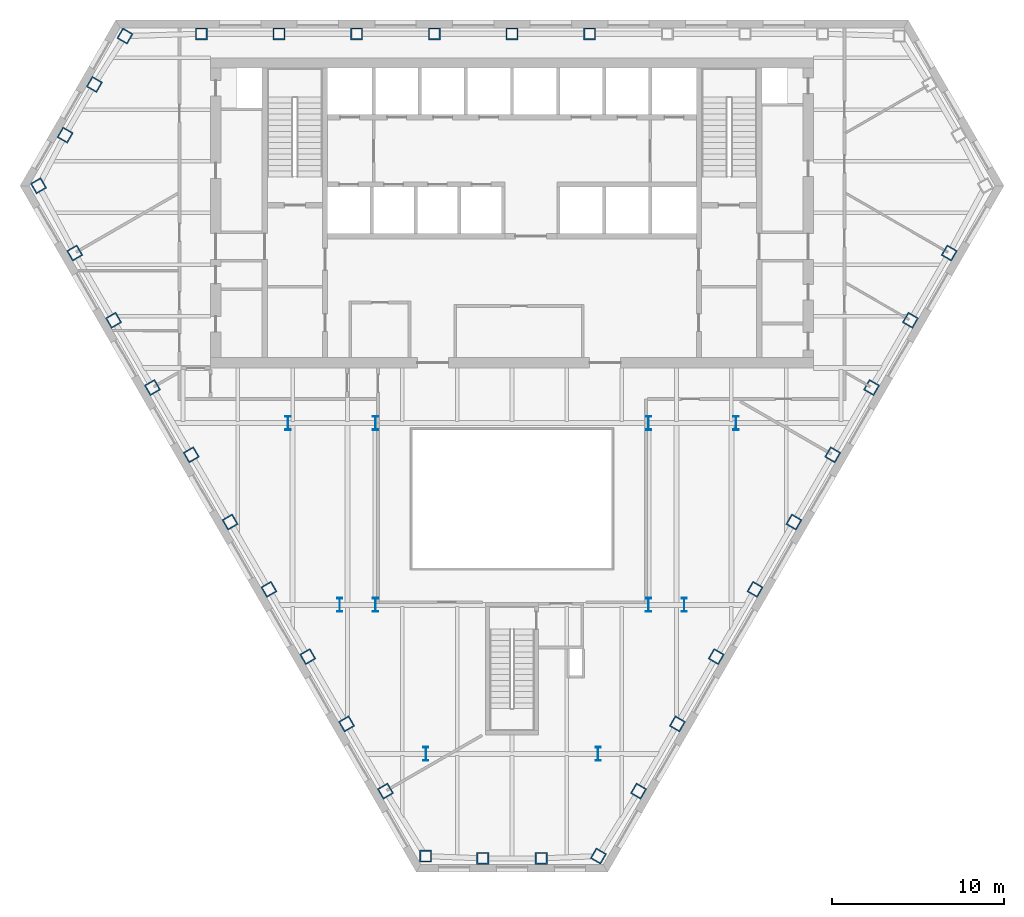
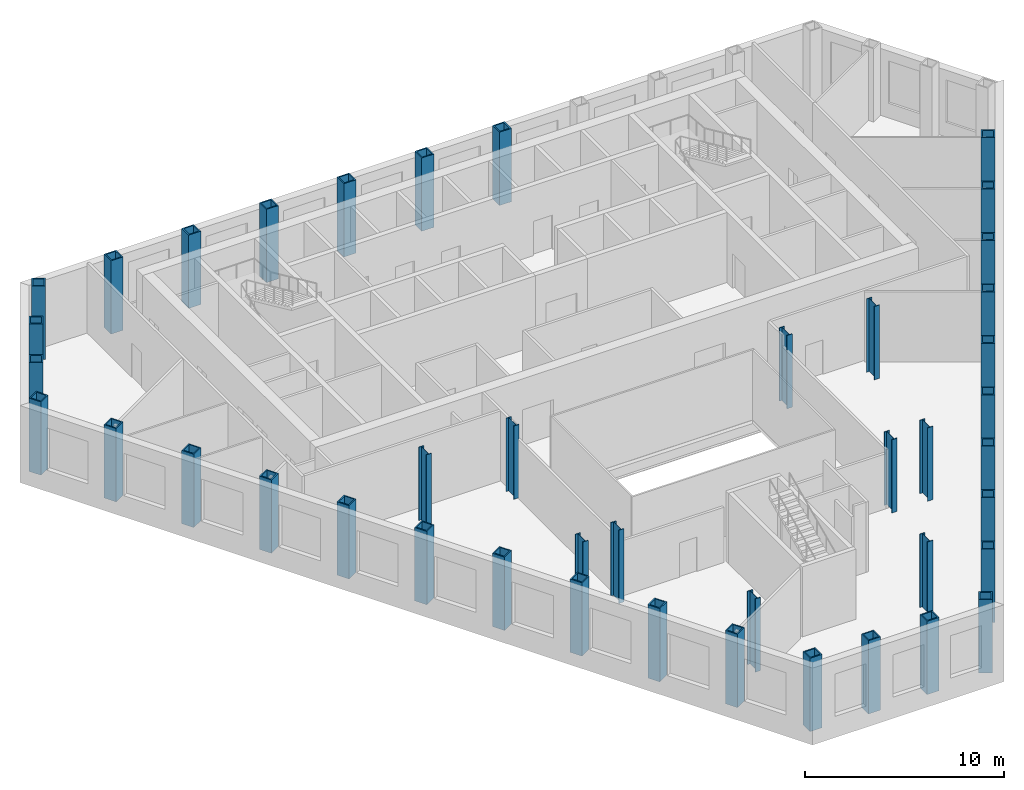
# One storey, part 1 of 11: 42 columns.
"""IFC4 building model written with IfcOpenShell, lengths in metres."""

from ifc_helpers import new_model, si_unit, direction, frame, origin, origin_2d, place, context, subcontext, project, spatial, hollow_rectangle, i_section, extrude, material, material_profile, profile_set, type_object, element, save


model = new_model("IFC4")

# Units and contexts
model_context = context("Model", 3, precision=1e-05, world=origin(), true_north=direction((0.0, 1.0)))
body_context = subcontext(model_context, "Body", "Model", "MODEL_VIEW")
ifc_project = project(units=[si_unit("LENGTHUNIT", "METRE"), si_unit("AREAUNIT", "SQUARE_METRE"), si_unit("VOLUMEUNIT", "CUBIC_METRE"), si_unit("PLANEANGLEUNIT", "RADIAN"), si_unit("MASSUNIT", "GRAM", prefix="KILO")], contexts=[model_context])

# Site, building, storey
site_placement = place(None, origin())
site = spatial("IfcSite", under=ifc_project, at=site_placement, CompositionType="ELEMENT")
building_placement = place(site_placement, origin())
building = spatial("IfcBuilding", under=site, at=building_placement, Name="Njiva Tower", CompositionType="ELEMENT")
storey_placement = place(building_placement, frame((0.0, 0.0, 64.8)))
storey = spatial("IfcBuildingStorey", under=building, at=storey_placement, Name="L13", CompositionType="ELEMENT", Elevation=64.8)

# Columns
ifc_material = material(Name="Steel S355 J2", Category="steel")
ifc_material_profile_1 = material_profile(ifc_material, hollow_rectangle(XDim=0.7, YDim=0.7, WallThickness=0.07, at=origin_2d()), Name="BOX 700x700x70")
ifc_profile_set_1 = profile_set([ifc_material_profile_1], Name="Steel S355 J2")
column_type_1 = type_object("IfcColumnType", Name="C5 Perimeter tube column BOX 700x700x70", PredefinedType="COLUMN", material=ifc_profile_set_1)
for number, where, z_axis, x_axis, name in (
    (1, (4.509, 19.4, 0.0), (0.0, 0.0, 1.0), (-1.0, 0.0, 0.0), "Perimeter tube column S04-C05"),
    (2, (0.0, 19.4, 0.0), (0.0, 0.0, 1.0), (-1.0, 0.0, 0.0), "Perimeter tube column S04-C06"),
    (3, (-4.509, 19.4, 0.0), (0.0, 0.0, 1.0), (-1.0, 0.0, 0.0), "Perimeter tube column S04-C07"),
    (4, (-9.017, 19.4, 0.0), (0.0, 0.0, 1.0), (-1.0, 0.0, 0.0), "Perimeter tube column S04-C08"),
    (5, (-13.526, 19.4, 0.0), (0.0, 0.0, 1.0), (-1.0, 0.0, 0.0), "Perimeter tube column S04-C09"),
    (6, (-18.034, 19.4, 0.0), (0.0, 0.0, 1.0), (-1.0, 0.0, 0.0), "Perimeter tube column S04-C10"),
    (7, (-22.466, 19.267, 0.0), (0.0, 0.0, 1.0), (-0.5, -0.866025403784, 0.0), "Perimeter tube column S04-C11"),
    (8, (-24.241, 16.459, 0.0), (0.0, 0.0, 1.0), (-0.5, -0.866025403784, 0.0), "Perimeter tube column S04-C12"),
    (9, (-25.939, 13.519, 0.0), (0.0, 0.0, 1.0), (-0.5, -0.866025403784, 0.0), "Perimeter tube column S04-C13"),
    (10, (-27.483, 10.578, 0.0), (0.0, 0.0, 1.0), (0.5, -0.866025403784, 0.0), "Perimeter tube column S04-C14"),
    (11, (-25.382, 6.674, 0.0), (0.0, 0.0, 1.0), (0.5, -0.866025403784, 0.0), "Perimeter tube column S04-C15"),
    (12, (-23.128, 2.769, 0.0), (0.0, 0.0, 1.0), (0.5, -0.866025403784, 0.0), "Perimeter tube column S04-C16"),
    (13, (-20.873, -1.135, 0.0), (0.0, 0.0, 1.0), (0.5, -0.866025403784, 0.0), "Perimeter tube column S04-C17"),
    (14, (-18.619, -5.04, 0.0), (0.0, 0.0, 1.0), (0.5, -0.866025403784, 0.0), "Perimeter tube column S04-C18"),
    (15, (-16.365, -8.944, 0.0), (0.0, 0.0, 1.0), (0.5, -0.866025403784, 0.0), "Perimeter tube column S04-C19"),
    (16, (-14.11, -12.849, 0.0), (0.0, 0.0, 1.0), (0.5, -0.866025403784, 0.0), "Perimeter tube column S04-C20"),
    (17, (-11.856, -16.754, 0.0), (0.0, 0.0, 1.0), (0.5, -0.866025403784, 0.0), "Perimeter tube column S04-C21"),
    (18, (-9.602, -20.658, 0.0), (0.0, 0.0, 1.0), (0.5, -0.866025403784, 0.0), "Perimeter tube column S04-C22"),
    (19, (-7.347, -24.563, 0.0), (0.0, 0.0, 1.0), (0.5, -0.866025403784, 0.0), "Perimeter tube column S04-C23"),
    (20, (-5.016, -28.334, 0.0), (0.0, 0.0, 1.0), (1.0, 0.0, 0.0), "Perimeter tube column S04-C24"),
    (21, (-1.698, -28.467, 0.0), (0.0, 0.0, 1.0), (1.0, 0.0, 0.0), "Perimeter tube column S04-C25"),
    (22, (1.698, -28.467, 0.0), (0.0, 0.0, 1.0), (1.0, 0.0, 0.0), "Perimeter tube column S04-C26"),
    (23, (5.016, -28.334, 0.0), (0.0, 0.0, 1.0), (0.5, 0.866025403784, 0.0), "Perimeter tube column S04-C27"),
    (24, (7.347, -24.563, 0.0), (0.0, 0.0, 1.0), (0.5, 0.866025403784, 0.0), "Perimeter tube column S04-C28"),
    (25, (9.602, -20.658, 0.0), (0.0, 0.0, 1.0), (0.5, 0.866025403784, 0.0), "Perimeter tube column S04-C29"),
    (26, (11.856, -16.754, 0.0), (0.0, 0.0, 1.0), (0.5, 0.866025403784, 0.0), "Perimeter tube column S04-C30"),
    (27, (14.11, -12.849, 0.0), (0.0, 0.0, 1.0), (0.5, 0.866025403784, 0.0), "Perimeter tube column S04-C31"),
    (28, (16.365, -8.944, 0.0), (0.0, 0.0, 1.0), (0.5, 0.866025403784, 0.0), "Perimeter tube column S04-C32"),
    (29, (18.619, -5.04, 0.0), (0.0, 0.0, 1.0), (0.5, 0.866025403784, 0.0), "Perimeter tube column S04-C33"),
    (30, (20.873, -1.135, 0.0), (0.0, 0.0, 1.0), (0.5, 0.866025403784, 0.0), "Perimeter tube column S04-C34"),
    (31, (23.128, 2.769, 0.0), (0.0, 0.0, 1.0), (0.5, 0.866025403784, 0.0), "Perimeter tube column S04-C35"),
    (32, (25.382, 6.674, 0.0), (0.0, 0.0, 1.0), (0.5, 0.866025403784, 0.0), "Perimeter tube column S04-C36"),
):
    element("IfcColumn", number, at=place(storey_placement, frame(where, z_axis=z_axis, x_axis=x_axis)), inside=storey, type_object=column_type_1, Name=name, PredefinedType="COLUMN", context=body_context, shape_type="SweptSolid", body=[
        extrude(hollow_rectangle(XDim=0.7, YDim=0.7, WallThickness=0.07, at=origin_2d()), origin(), (0.0, 0.0, 1.0), 4.5),
    ])
ifc_material_profile_2 = material_profile(ifc_material, i_section(OverallWidth=0.303, OverallDepth=0.814, WebThickness=0.021, FlangeThickness=0.04, at=origin_2d()), Name="HEM 800")
ifc_profile_set_2 = profile_set([ifc_material_profile_2], Name="Steel S355 J2")
column_type_2 = type_object("IfcColumnType", Name="C6 Interior column HEM 800", PredefinedType="COLUMN", material=ifc_profile_set_2)
for number, where, z_axis, x_axis, name in (
    (33, (7.93, -3.2, 0.0), (0.0, 0.0, 1.0), (1.0, 0.0, 0.0), "Interior column S04-C40"),
    (34, (-7.93, -3.2, 0.0), (0.0, 0.0, 1.0), (1.0, 0.0, 0.0), "Interior column S04-C41"),
    (35, (7.93, -13.75, 0.0), (0.0, 0.0, 1.0), (1.0, 0.0, 0.0), "Interior column S04-C42"),
    (36, (-7.93, -13.75, 0.0), (0.0, 0.0, 1.0), (1.0, 0.0, 0.0), "Interior column S04-C43"),
    (37, (5.0, -22.4, 0.0), (0.0, 0.0, 1.0), (1.0, 0.0, 0.0), "Interior column S04-C44"),
    (38, (-5.0, -22.4, 0.0), (0.0, 0.0, 1.0), (1.0, 0.0, 0.0), "Interior column S04-C45"),
    (39, (13.0, -3.2, 0.0), (0.0, 0.0, 1.0), (1.0, 0.0, 0.0), "Interior column S04-C46"),
    (40, (-13.0, -3.2, 0.0), (0.0, 0.0, 1.0), (1.0, 0.0, 0.0), "Interior column S04-C47"),
    (41, (10.0, -13.75, 0.0), (0.0, 0.0, 1.0), (1.0, 0.0, 0.0), "Interior column S04-C48"),
    (42, (-10.0, -13.75, 0.0), (0.0, 0.0, 1.0), (1.0, 0.0, 0.0), "Interior column S04-C49"),
):
    element("IfcColumn", number, at=place(storey_placement, frame(where, z_axis=z_axis, x_axis=x_axis)), inside=storey, type_object=column_type_2, Name=name, PredefinedType="COLUMN", context=body_context, shape_type="SweptSolid", body=[
        extrude(i_section(OverallWidth=0.303, OverallDepth=0.814, WebThickness=0.021, FlangeThickness=0.04, at=origin_2d()), origin(), (0.0, 0.0, 1.0), 4.5),
    ])

save(model, "model.ifc")
